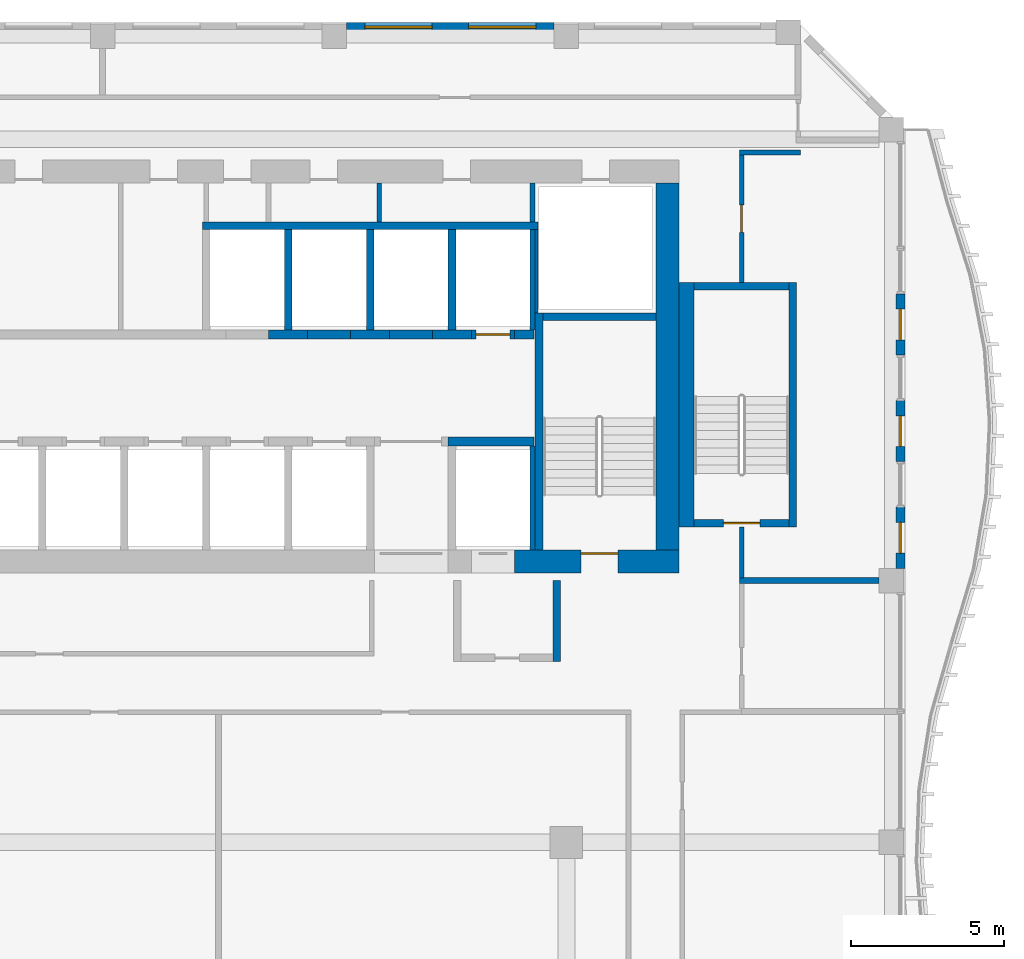
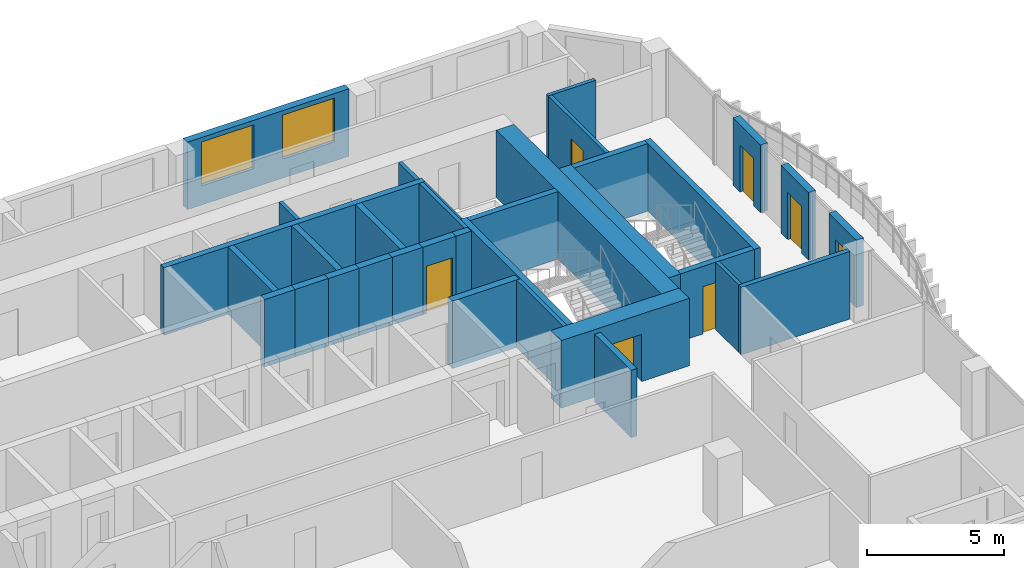
# One storey, part 17 of 24: 34 walls, 7 doors, 2 windows, 9 openings.
"""IFC4 building model written with IfcOpenShell, lengths in metres."""

from ifc_helpers import new_model, si_unit, direction, frame, frame_2d, origin, place, context, subcontext, project, spatial, rectangle, extrude, source, transform, mapped, material, layer, layer_set, type_object, element, fill, save


model = new_model("IFC4")

# Units and contexts
model_context = context("Model", 3, precision=1e-05, world=origin(), true_north=direction((0.0, 1.0)))
body_context = subcontext(model_context, "Body", "Model", "MODEL_VIEW")
ifc_project = project(units=[si_unit("LENGTHUNIT", "METRE"), si_unit("AREAUNIT", "SQUARE_METRE"), si_unit("VOLUMEUNIT", "CUBIC_METRE"), si_unit("PLANEANGLEUNIT", "RADIAN"), si_unit("MASSUNIT", "GRAM", prefix="KILO")], contexts=[model_context])

# Site, building, storey
site_placement = place(None, origin())
site = spatial("IfcSite", under=ifc_project, at=site_placement, CompositionType="ELEMENT")
building_placement = place(site_placement, origin())
building = spatial("IfcBuilding", under=site, at=building_placement, Name="Kilnfold Tower and Market Hall", CompositionType="ELEMENT")
storey_placement = place(building_placement, frame((0.0, 0.0, 192.300048828125)))
storey = spatial("IfcBuildingStorey", under=building, at=storey_placement, Name="L46", CompositionType="ELEMENT", Elevation=192.300048828125)

# Wall
ifc_material_1 = material(Name="Gypsum board on steel studs", Category="steel")
ifc_layer_1 = layer(ifc_material_1, 0.14990234375)
ifc_layer_set_1 = layer_set([ifc_layer_1], Name="Gypsum board on steel studs")
wall_type_1 = type_object("IfcWallType", Name="WALL CORRIDOR 150", PredefinedType="PARTITIONING", material=ifc_layer_set_1)
wall_1_placement = place(storey_placement, frame((19.824951171875, 22.0, 0.0), z_axis=(0.0, 0.0, 1.0), x_axis=(1.0, 0.0, 0.0)))
element("IfcWall", 1, at=wall_1_placement, inside=storey, type_object=wall_type_1, Name="Partition LY28.30", PredefinedType="PARTITIONING", context=body_context, shape_type="SweptSolid", body=[
    extrude(rectangle(XDim=2.0, YDim=0.14990234375, at=frame_2d((1.0, 0.0))), origin(), (0.0, 0.0, 1.0), 3.0),
])

# Wall, opening, door
wall_2_placement = place(storey_placement, frame((19.89990234375, 17.75, 0.0), z_axis=(0.0, 0.0, 1.0), x_axis=(0.0, 1.0, 0.0)))
wall_2 = element("IfcWall", 2, at=wall_2_placement, inside=storey, type_object=wall_type_1, Name="Partition LY28.31", PredefinedType="PARTITIONING", context=body_context, shape_type="SweptSolid", body=[
    extrude(rectangle(XDim=4.175048828125, YDim=0.14990234375, at=frame_2d((2.08740234375, 0.0))), origin(), (0.0, 0.0, 1.0), 3.0),
])
opening_1_placement = place(wall_2_placement, frame((1.637939453125, 0.0, 0.0)))
opening_1 = element("IfcOpeningElement", 3, at=opening_1_placement, cuts=wall_2, Name="Opening D2", PredefinedType="OPENING", context=body_context, shape_type="SweptSolid", body=[
    extrude(rectangle(XDim=0.89990234375, YDim=2.10009765625, at=frame_2d((0.449951171875, 1.050048828125))), frame((0.0, 0.0849609375, 0.0), z_axis=(0.0, -1.0, 0.0), x_axis=(1.0, 0.0, 0.0)), (0.0, 0.0, 1.0), 0.169921875),
])
ifc_material_2 = material(Name="Timber veneer door leaf in steel frame", Category="steel")
door_type_1 = type_object("IfcDoorType", Name="DOOR ROOM 900 X2100", OperationType="NOTDEFINED", PredefinedType="DOOR", material=ifc_material_2)
door_1_placement = place(opening_1_placement, origin())
door_1 = element("IfcDoor", 4, at=door_1_placement, inside=storey, type_object=door_type_1, Name="Door D2", OperationType="SINGLE_SWING_LEFT", OverallHeight=2.10009765625, OverallWidth=0.89990234375, PredefinedType="DOOR", context=body_context, shape_type="SweptSolid", body=[
    extrude(rectangle(XDim=0.89990234375, YDim=2.10009765625, at=frame_2d((0.449951171875, 1.050048828125))), frame((0.0, 0.02490234375, 0.0), z_axis=(0.0, -1.0, 0.0), x_axis=(1.0, 0.0, 0.0)), (0.0, 0.0, 1.0), 0.050048828125),
])
fill(opening_1, door_1)

# Walls
wall_3_placement = place(storey_placement, frame((19.89990234375, 8.090087890625, 0.0), z_axis=(0.0, 0.0, 1.0), x_axis=(0.0, 1.0, 0.0)))
element("IfcWall", 5, at=wall_3_placement, inside=storey, type_object=wall_type_1, Name="Partition LY28.32", PredefinedType="PARTITIONING", context=body_context, shape_type="SweptSolid", body=[
    extrude(rectangle(XDim=1.659912109375, YDim=0.14990234375, at=frame_2d((0.830078125, 0.0))), origin(), (0.0, 0.0, 1.0), 3.0),
])
ifc_material_3 = material(Name="Gypsum board on steel studs", Category="steel")
ifc_layer_2 = layer(ifc_material_3, 0.199951171875)
ifc_layer_set_2 = layer_set([ifc_layer_2], Name="Gypsum board on steel studs")
wall_type_2 = type_object("IfcWallType", Name="WALL PARTY 200", PredefinedType="PARTITIONING", material=ifc_layer_set_2)
wall_4_placement = place(storey_placement, frame((19.826904296875, 8.0, 0.0), z_axis=(0.0, 0.0, 1.0), x_axis=(1.0, 0.0, 0.0)))
element("IfcWall", 6, at=wall_4_placement, inside=storey, type_object=wall_type_2, Name="Partition LY28.115", PredefinedType="PARTITIONING", context=body_context, shape_type="SweptSolid", body=[
    extrude(rectangle(XDim=4.572998046875, YDim=0.199951171875, at=frame_2d((2.28662109375, 0.0))), origin(), (0.0, 0.0, 1.0), 3.0),
])
ifc_material_4 = material(Name="Concrete C60", Category="concrete")
ifc_layer_3 = layer(ifc_material_4, 0.25)
ifc_layer_set_3 = layer_set([ifc_layer_3], Name="Concrete C60")
wall_type_3 = type_object("IfcWallType", Name="CORE WALL 250 C60", PredefinedType="SHEAR", material=ifc_layer_set_3)
shared_shape_1 = source(origin(), body_context, "Body", "SweptSolid", [
    extrude(rectangle(XDim=7.75, YDim=0.25, at=frame_2d((3.875, 0.0))), origin(), (0.0, 0.0, 1.0), 3.0),
])
wall_5_placement = place(storey_placement, frame((13.27490234375, 9.0, 0.0), z_axis=(0.0, 0.0, 1.0), x_axis=(0.0, 1.0, 0.0)))
element("IfcWall", 7, at=wall_5_placement, inside=storey, type_object=wall_type_3, Name="Stair enclosure ST2", PredefinedType="SHEAR", context=body_context, shape_type="MappedRepresentation", body=[
    mapped(shared_shape_1, transform((0.0, 0.0, 0.0))),
])
shared_shape_2 = source(origin(), body_context, "Body", "SweptSolid", [
    extrude(rectangle(XDim=3.7001953125, YDim=0.25, at=frame_2d((1.85009765625, 0.0))), origin(), (0.0, 0.0, 1.0), 3.0),
])
wall_6_placement = place(storey_placement, frame((13.39990234375, 16.625, 0.0), z_axis=(0.0, 0.0, 1.0), x_axis=(1.0, 0.0, 0.0)))
element("IfcWall", 8, at=wall_6_placement, inside=storey, type_object=wall_type_3, Name="Stair enclosure ST2", PredefinedType="SHEAR", context=body_context, shape_type="MappedRepresentation", body=[
    mapped(shared_shape_2, transform((0.0, 0.0, 0.0))),
])
shared_shape_3 = source(origin(), body_context, "Body", "SweptSolid", [
    extrude(rectangle(XDim=8.0, YDim=0.25, at=frame_2d((4.0, 0.0))), origin(), (0.0, 0.0, 1.0), 3.0),
])
wall_7_placement = place(storey_placement, frame((21.574951171875, 9.75, 0.0), z_axis=(0.0, 0.0, 1.0), x_axis=(0.0, 1.0, 0.0)))
element("IfcWall", 9, at=wall_7_placement, inside=storey, type_object=wall_type_3, Name="Stair enclosure ST5", PredefinedType="SHEAR", context=body_context, shape_type="MappedRepresentation", body=[
    mapped(shared_shape_3, transform((0.0, 0.0, 0.0))),
])

# Wall, opening, door
shared_shape_4 = source(origin(), body_context, "Body", "SweptSolid", [
    extrude(rectangle(XDim=3.099853515625, YDim=0.25, at=frame_2d((1.5498046875, 0.0))), origin(), (0.0, 0.0, 1.0), 3.0),
])
wall_8_placement = place(storey_placement, frame((18.35009765625, 9.875, 0.0), z_axis=(0.0, 0.0, 1.0), x_axis=(1.0, 0.0, 0.0)))
wall_8 = element("IfcWall", 10, at=wall_8_placement, inside=storey, type_object=wall_type_3, Name="Stair enclosure ST5", PredefinedType="SHEAR", context=body_context, shape_type="MappedRepresentation", body=[
    mapped(shared_shape_4, transform((0.0, 0.0, 0.0))),
])
opening_2_placement = place(wall_8_placement, frame((0.949951171875, 0.0, 0.0)))
opening_2 = element("IfcOpeningElement", 11, at=opening_2_placement, cuts=wall_8, Name="Opening SD1", PredefinedType="OPENING", context=body_context, shape_type="SweptSolid", body=[
    extrude(rectangle(XDim=1.199951171875, YDim=2.10009765625, at=frame_2d((0.60009765625, 1.050048828125))), frame((0.0, 0.135009765625, 0.0), z_axis=(0.0, -1.0, 0.0), x_axis=(1.0, 0.0, 0.0)), (0.0, 0.0, 1.0), 0.27001953125),
])
ifc_material_5 = material(Name="Steel door set with fire-resisting leaf", Category="steel")
door_type_2 = type_object("IfcDoorType", Name="STAIR FLOOR DOOR 1200X2100", OperationType="NOTDEFINED", PredefinedType="DOOR", material=ifc_material_5)
door_2_placement = place(opening_2_placement, origin())
door_2 = element("IfcDoor", 12, at=door_2_placement, inside=storey, type_object=door_type_2, Name="Exit stair ST5 door", OperationType="DOUBLE_DOOR_SINGLE_SWING", OverallHeight=2.10009765625, OverallWidth=1.199951171875, PredefinedType="DOOR", context=body_context, shape_type="SweptSolid", body=[
    extrude(rectangle(XDim=1.199951171875, YDim=2.10009765625, at=frame_2d((0.60009765625, 1.050048828125))), frame((0.0, 0.02490234375, 0.0), z_axis=(0.0, -1.0, 0.0), x_axis=(1.0, 0.0, 0.0)), (0.0, 0.0, 1.0), 0.050048828125),
])
fill(opening_2, door_2)

# Walls
wall_9_placement = place(storey_placement, frame((18.35009765625, 17.625, 0.0), z_axis=(0.0, 0.0, 1.0), x_axis=(1.0, 0.0, 0.0)))
element("IfcWall", 13, at=wall_9_placement, inside=storey, type_object=wall_type_3, Name="Stair enclosure ST5", PredefinedType="SHEAR", context=body_context, shape_type="MappedRepresentation", body=[
    mapped(shared_shape_4, transform((0.0, 0.0, 0.0))),
])
ifc_material_6 = material(Name="Concrete C60", Category="concrete")
ifc_layer_4 = layer(ifc_material_6, 0.300048828125)
ifc_layer_set_4 = layer_set([ifc_layer_4], Name="Concrete C60")
wall_type_4 = type_object("IfcWallType", Name="CORE WALL 300 C60", PredefinedType="SHEAR", material=ifc_layer_set_4)
shared_shape_5 = source(origin(), body_context, "Body", "SweptSolid", [
    extrude(rectangle(XDim=1.280029296875, YDim=0.300048828125, at=frame_2d((0.64013671875, 0.0))), origin(), (0.0, 0.0, 1.0), 3.0),
])
for number, where, z_axis, x_axis, name in (
    (14, (4.429931640625, 16.050048828125, 0.0), (0.0, 0.0, 1.0), (1.0, 0.0, 0.0), "Core spine wall"),
    (15, (9.7900390625, 16.050048828125, 0.0), (0.0, 0.0, 1.0), (1.0, 0.0, 0.0), "Core spine wall"),
):
    element("IfcWall", number, at=place(storey_placement, frame(where, z_axis=z_axis, x_axis=x_axis)), inside=storey, type_object=wall_type_4, Name=name, PredefinedType="SHEAR", context=body_context, shape_type="MappedRepresentation", body=[
        mapped(shared_shape_5, transform((0.0, 0.0, 0.0))),
    ])
shared_shape_6 = source(origin(), body_context, "Body", "SweptSolid", [
    extrude(rectangle(XDim=2.820068359375, YDim=0.300048828125, at=frame_2d((1.41015625, 0.0))), origin(), (0.0, 0.0, 1.0), 3.0),
])
wall_10_placement = place(storey_placement, frame((10.2900390625, 12.550048828125, 0.0), z_axis=(0.0, 0.0, 1.0), x_axis=(1.0, 0.0, 0.0)))
element("IfcWall", 16, at=wall_10_placement, inside=storey, type_object=wall_type_4, Name="Core spine wall", PredefinedType="SHEAR", context=body_context, shape_type="MappedRepresentation", body=[
    mapped(shared_shape_6, transform((0.0, 0.0, 0.0))),
])
shared_shape_7 = source(origin(), body_context, "Body", "SweptSolid", [
    extrude(rectangle(XDim=1.27978515625, YDim=0.300048828125, at=frame_2d((0.639892578125, 0.0))), origin(), (0.0, 0.0, 1.0), 3.0),
])
wall_11_placement = place(storey_placement, frame((7.110107421875, 16.050048828125, 0.0), z_axis=(0.0, 0.0, 1.0), x_axis=(1.0, 0.0, 0.0)))
element("IfcWall", 17, at=wall_11_placement, inside=storey, type_object=wall_type_4, Name="Core spine wall", PredefinedType="SHEAR", context=body_context, shape_type="MappedRepresentation", body=[
    mapped(shared_shape_7, transform((0.0, 0.0, 0.0))),
])
shared_shape_8 = source(origin(), body_context, "Body", "SweptSolid", [
    extrude(rectangle(XDim=0.64013671875, YDim=0.300048828125, at=frame_2d((0.320068359375, 0.0))), origin(), (0.0, 0.0, 1.0), 3.0),
])
wall_12_placement = place(storey_placement, frame((12.469970703125, 16.050048828125, 0.0), z_axis=(0.0, 0.0, 1.0), x_axis=(1.0, 0.0, 0.0)))
element("IfcWall", 18, at=wall_12_placement, inside=storey, type_object=wall_type_4, Name="Core spine wall", PredefinedType="SHEAR", context=body_context, shape_type="MappedRepresentation", body=[
    mapped(shared_shape_8, transform((0.0, 0.0, 0.0))),
])

# Wall, opening, door
ifc_material_7 = material(Name="Concrete C60", Category="concrete")
ifc_layer_5 = layer(ifc_material_7, 0.75)
ifc_layer_set_5 = layer_set([ifc_layer_5], Name="Concrete C60")
wall_type_5 = type_object("IfcWallType", Name="CORE WALL 750 C60", PredefinedType="SHEAR", material=ifc_layer_set_5)
shared_shape_9 = source(origin(), body_context, "Body", "SweptSolid", [
    extrude(rectangle(XDim=5.380126953125, YDim=0.75, at=frame_2d((2.68994140625, 0.0))), origin(), (0.0, 0.0, 1.0), 3.0),
])
wall_13_placement = place(storey_placement, frame((12.469970703125, 8.625, 0.0), z_axis=(0.0, 0.0, 1.0), x_axis=(1.0, 0.0, 0.0)))
wall_13 = element("IfcWall", 19, at=wall_13_placement, inside=storey, type_object=wall_type_5, Name="Core outer wall south", PredefinedType="SHEAR", context=body_context, shape_type="MappedRepresentation", body=[
    mapped(shared_shape_9, transform((0.0, 0.0, 0.0))),
])
opening_3_placement = place(wall_13_placement, frame((2.179931640625, 0.0, 0.0)))
opening_3 = element("IfcOpeningElement", 20, at=opening_3_placement, cuts=wall_13, Name="Opening SD1", PredefinedType="OPENING", context=body_context, shape_type="SweptSolid", body=[
    extrude(rectangle(XDim=1.199951171875, YDim=2.10009765625, at=frame_2d((0.60009765625, 1.050048828125))), frame((0.0, 0.385009765625, 0.0), z_axis=(0.0, -1.0, 0.0), x_axis=(1.0, 0.0, 0.0)), (0.0, 0.0, 1.0), 0.77001953125),
])
door_3_placement = place(opening_3_placement, origin())
door_3 = element("IfcDoor", 21, at=door_3_placement, inside=storey, type_object=door_type_2, Name="Exit stair ST2 door", OperationType="DOUBLE_DOOR_SINGLE_SWING", OverallHeight=2.10009765625, OverallWidth=1.199951171875, PredefinedType="DOOR", context=body_context, shape_type="SweptSolid", body=[
    extrude(rectangle(XDim=1.199951171875, YDim=2.10009765625, at=frame_2d((0.60009765625, 1.050048828125))), frame((0.0, 0.27978515625, 0.0), z_axis=(0.0, -1.0, 0.0), x_axis=(1.0, 0.0, 0.0)), (0.0, 0.0, 1.0), 0.050048828125),
])
fill(opening_3, door_3)

# Walls
shared_shape_10 = source(origin(), body_context, "Body", "SweptSolid", [
    extrude(rectangle(XDim=12.0, YDim=0.75, at=frame_2d((6.0, 0.0))), origin(), (0.0, 0.0, 1.0), 3.0),
])
wall_14_placement = place(storey_placement, frame((17.47509765625, 9.0, 0.0), z_axis=(0.0, 0.0, 1.0), x_axis=(0.0, 1.0, 0.0)))
element("IfcWall", 22, at=wall_14_placement, inside=storey, type_object=wall_type_5, Name="Core outer wall east", PredefinedType="SHEAR", context=body_context, shape_type="MappedRepresentation", body=[
    mapped(shared_shape_10, transform((0.0, 0.0, 0.0))),
])
ifc_material_8 = material(Name="Concrete C60", Category="concrete")
ifc_layer_6 = layer(ifc_material_8, 0.5)
ifc_layer_set_6 = layer_set([ifc_layer_6], Name="Concrete C60")
wall_type_6 = type_object("IfcWallType", Name="CORE WALL 500 C60", PredefinedType="SHEAR", material=ifc_layer_set_6)
shared_shape_11 = source(origin(), body_context, "Body", "SweptSolid", [
    extrude(rectangle(XDim=8.0, YDim=0.5, at=frame_2d((4.0, 0.0))), origin(), (0.0, 0.0, 1.0), 3.0),
])
wall_15_placement = place(storey_placement, frame((18.10009765625, 9.75, 0.0), z_axis=(0.0, 0.0, 1.0), x_axis=(0.0, 1.0, 0.0)))
element("IfcWall", 23, at=wall_15_placement, inside=storey, type_object=wall_type_6, Name="Stair enclosure ST5", PredefinedType="SHEAR", context=body_context, shape_type="MappedRepresentation", body=[
    mapped(shared_shape_11, transform((0.0, 0.0, 0.0))),
])

# Wall, opening, door
ifc_material_9 = material(Name="Precast concrete C50/60", Category="concrete")
ifc_layer_7 = layer(ifc_material_9, 0.300048828125)
ifc_layer_set_7 = layer_set([ifc_layer_7], Name="Precast concrete C50/60")
wall_type_7 = type_object("IfcWallType", Name="PRECAST WALL 300", PredefinedType="SOLIDWALL", material=ifc_layer_set_7)
shared_shape_12 = source(origin(), body_context, "Body", "SweptSolid", [
    extrude(rectangle(XDim=2.0, YDim=0.300048828125, at=frame_2d((1.0, 0.0))), origin(), (0.0, 0.0, 1.0), 3.0),
])
wall_16_placement = place(storey_placement, frame((25.10009765625, 8.39990234375, 0.0), z_axis=(0.0, 0.0, 1.0), x_axis=(0.0, 1.0, 0.0)))
wall_16 = element("IfcWall", 24, at=wall_16_placement, inside=storey, type_object=wall_type_7, Name="External wall L46 E", PredefinedType="SOLIDWALL", context=body_context, shape_type="MappedRepresentation", body=[
    mapped(shared_shape_12, transform((0.0, 0.0, 0.0))),
])
opening_4_placement = place(wall_16_placement, frame((0.5, 0.0, 0.0)))
opening_4 = element("IfcOpeningElement", 25, at=opening_4_placement, cuts=wall_16, Name="Opening BD1", PredefinedType="OPENING", context=body_context, shape_type="SweptSolid", body=[
    extrude(rectangle(XDim=1.0, YDim=2.10009765625, at=frame_2d((0.5, 1.050048828125))), frame((0.0, 0.16015625, 0.0), z_axis=(0.0, -1.0, 0.0), x_axis=(1.0, 0.0, 0.0)), (0.0, 0.0, 1.0), 0.320068359375),
])
ifc_material_10 = material(Name="Aluminium frame and double glazing", Category="aluminium")
door_type_3 = type_object("IfcDoorType", Name="BALCONY DOOR 1000X2100", OperationType="NOTDEFINED", PredefinedType="DOOR", material=ifc_material_10)
door_4_placement = place(opening_4_placement, origin())
door_4 = element("IfcDoor", 26, at=door_4_placement, inside=storey, type_object=door_type_3, Name="Balcony door BD1 L46 E-1", OperationType="SINGLE_SWING_LEFT", OverallHeight=2.10009765625, OverallWidth=1.0, PredefinedType="DOOR", context=body_context, shape_type="SweptSolid", body=[
    extrude(rectangle(XDim=1.0, YDim=2.10009765625, at=frame_2d((0.5, 1.050048828125))), frame((0.0, 0.02490234375, 0.0), z_axis=(0.0, -1.0, 0.0), x_axis=(1.0, 0.0, 0.0)), (0.0, 0.0, 1.0), 0.050048828125),
])
fill(opening_4, door_4)

wall_17_placement = place(storey_placement, frame((25.10009765625, 11.887451171875, 0.0), z_axis=(0.0, 0.0, 1.0), x_axis=(0.0, 1.0, 0.0)))
wall_17 = element("IfcWall", 27, at=wall_17_placement, inside=storey, type_object=wall_type_7, Name="External wall L46 E", PredefinedType="SOLIDWALL", context=body_context, shape_type="MappedRepresentation", body=[
    mapped(shared_shape_12, transform((0.0, 0.0, 0.0))),
])
opening_5_placement = place(wall_17_placement, frame((0.5, 0.0, 0.0)))
opening_5 = element("IfcOpeningElement", 28, at=opening_5_placement, cuts=wall_17, Name="Opening BD1", PredefinedType="OPENING", context=body_context, shape_type="SweptSolid", body=[
    extrude(rectangle(XDim=1.0, YDim=2.10009765625, at=frame_2d((0.5, 1.050048828125))), frame((0.0, 0.16015625, 0.0), z_axis=(0.0, -1.0, 0.0), x_axis=(1.0, 0.0, 0.0)), (0.0, 0.0, 1.0), 0.320068359375),
])
door_5_placement = place(opening_5_placement, origin())
door_5 = element("IfcDoor", 29, at=door_5_placement, inside=storey, type_object=door_type_3, Name="Balcony door BD1 L46 E-2", OperationType="SINGLE_SWING_RIGHT", OverallHeight=2.10009765625, OverallWidth=1.0, PredefinedType="DOOR", context=body_context, shape_type="SweptSolid", body=[
    extrude(rectangle(XDim=1.0, YDim=2.10009765625, at=frame_2d((0.5, 1.050048828125))), frame((0.0, 0.02490234375, 0.0), z_axis=(0.0, -1.0, 0.0), x_axis=(1.0, 0.0, 0.0)), (0.0, 0.0, 1.0), 0.050048828125),
])
fill(opening_5, door_5)

wall_18_placement = place(storey_placement, frame((25.10009765625, 15.375, 0.0), z_axis=(0.0, 0.0, 1.0), x_axis=(0.0, 1.0, 0.0)))
wall_18 = element("IfcWall", 30, at=wall_18_placement, inside=storey, type_object=wall_type_7, Name="External wall L46 E", PredefinedType="SOLIDWALL", context=body_context, shape_type="MappedRepresentation", body=[
    mapped(shared_shape_12, transform((0.0, 0.0, 0.0))),
])
opening_6_placement = place(wall_18_placement, frame((0.5, 0.0, 0.0)))
opening_6 = element("IfcOpeningElement", 31, at=opening_6_placement, cuts=wall_18, Name="Opening BD1", PredefinedType="OPENING", context=body_context, shape_type="SweptSolid", body=[
    extrude(rectangle(XDim=1.0, YDim=2.10009765625, at=frame_2d((0.5, 1.050048828125))), frame((0.0, 0.16015625, 0.0), z_axis=(0.0, -1.0, 0.0), x_axis=(1.0, 0.0, 0.0)), (0.0, 0.0, 1.0), 0.320068359375),
])
door_6_placement = place(opening_6_placement, origin())
door_6 = element("IfcDoor", 32, at=door_6_placement, inside=storey, type_object=door_type_3, Name="Balcony door BD1 L46 E-3", OperationType="SINGLE_SWING_LEFT", OverallHeight=2.10009765625, OverallWidth=1.0, PredefinedType="DOOR", context=body_context, shape_type="SweptSolid", body=[
    extrude(rectangle(XDim=1.0, YDim=2.10009765625, at=frame_2d((0.5, 1.050048828125))), frame((0.0, 0.02490234375, 0.0), z_axis=(0.0, -1.0, 0.0), x_axis=(1.0, 0.0, 0.0)), (0.0, 0.0, 1.0), 0.050048828125),
])
fill(opening_6, door_6)

# Wall, openings, windows
shared_shape_13 = source(origin(), body_context, "Body", "SweptSolid", [
    extrude(rectangle(XDim=6.783203125, YDim=0.300048828125, at=frame_2d((3.3916015625, 0.0))), origin(), (0.0, 0.0, 1.0), 3.0),
])
wall_19_placement = place(storey_placement, frame((13.7666015625, 26.10009765625, 0.0), z_axis=(0.0, 0.0, 1.0), x_axis=(-1.0, 0.0, 0.0)))
wall_19 = element("IfcWall", 33, at=wall_19_placement, inside=storey, type_object=wall_type_7, Name="External wall L46 N", PredefinedType="SOLIDWALL", context=body_context, shape_type="MappedRepresentation", body=[
    mapped(shared_shape_13, transform((0.0, 0.0, 0.0))),
])
opening_7_placement = place(wall_19_placement, frame((0.595703125, 0.0, 0.85009765625)))
opening_7 = element("IfcOpeningElement", 34, at=opening_7_placement, cuts=wall_19, Name="Opening W2", PredefinedType="OPENING", context=body_context, shape_type="SweptSolid", body=[
    extrude(rectangle(XDim=2.199951171875, YDim=1.949951171875, at=frame_2d((1.10009765625, 0.97509765625))), frame((0.0, 0.16015625, 0.0), z_axis=(0.0, -1.0, 0.0), x_axis=(1.0, 0.0, 0.0)), (0.0, 0.0, 1.0), 0.320068359375),
])
opening_8_placement = place(wall_19_placement, frame((3.987548828125, 0.0, 0.85009765625)))
opening_8 = element("IfcOpeningElement", 35, at=opening_8_placement, cuts=wall_19, Name="Opening W2", PredefinedType="OPENING", context=body_context, shape_type="SweptSolid", body=[
    extrude(rectangle(XDim=2.199951171875, YDim=1.949951171875, at=frame_2d((1.10009765625, 0.97509765625))), frame((0.0, 0.16015625, 0.0), z_axis=(0.0, -1.0, 0.0), x_axis=(1.0, 0.0, 0.0)), (0.0, 0.0, 1.0), 0.320068359375),
])
ifc_material_11 = material(Name="Aluminium frame and double glazing", Category="aluminium")
window_type = type_object("IfcWindowType", Name="WINDOW W2 2200X1950", PartitioningType="SINGLE_PANEL", PredefinedType="WINDOW", material=ifc_material_11)
window_1_placement = place(opening_7_placement, origin())
window_1 = element("IfcWindow", 36, at=window_1_placement, inside=storey, type_object=window_type, Name="Window W2 L46 N-1", OverallHeight=1.949951171875, OverallWidth=2.199951171875, PartitioningType="SINGLE_PANEL", PredefinedType="WINDOW", context=body_context, shape_type="SweptSolid", body=[
    extrude(rectangle(XDim=2.199951171875, YDim=1.949951171875, at=frame_2d((1.10009765625, 0.97509765625))), frame((0.0, 0.030029296875, 0.0), z_axis=(0.0, -1.0, 0.0), x_axis=(1.0, 0.0, 0.0)), (0.0, 0.0, 1.0), 0.06005859375),
])
fill(opening_7, window_1)
window_2_placement = place(opening_8_placement, origin())
window_2 = element("IfcWindow", 37, at=window_2_placement, inside=storey, type_object=window_type, Name="Window W2 L46 N-2", OverallHeight=1.949951171875, OverallWidth=2.199951171875, PartitioningType="SINGLE_PANEL", PredefinedType="WINDOW", context=body_context, shape_type="SweptSolid", body=[
    extrude(rectangle(XDim=2.199951171875, YDim=1.949951171875, at=frame_2d((1.10009765625, 0.97509765625))), frame((0.0, 0.030029296875, 0.0), z_axis=(0.0, -1.0, 0.0), x_axis=(1.0, 0.0, 0.0)), (0.0, 0.0, 1.0), 0.06005859375),
])
fill(opening_8, window_2)

# Wall, opening, door
ifc_material_12 = material(Name="Gypsum shaft wall system")
ifc_layer_8 = layer(ifc_material_12, 0.300048828125)
ifc_layer_set_8 = layer_set([ifc_layer_8], Name="Gypsum shaft wall system")
wall_type_8 = type_object("IfcWallType", Name="SHAFT WALL 300", PredefinedType="PARTITIONING", material=ifc_layer_set_8)
shared_shape_14 = source(origin(), body_context, "Body", "SweptSolid", [
    extrude(rectangle(XDim=1.39990234375, YDim=0.300048828125, at=frame_2d((0.699951171875, 0.0))), origin(), (0.0, 0.0, 1.0), 3.0),
])
wall_20_placement = place(storey_placement, frame((11.070068359375, 16.050048828125, 0.0), z_axis=(0.0, 0.0, 1.0), x_axis=(1.0, 0.0, 0.0)))
wall_20 = element("IfcWall", 38, at=wall_20_placement, inside=storey, type_object=wall_type_8, Name="Lift shaft front wall", PredefinedType="PARTITIONING", context=body_context, shape_type="MappedRepresentation", body=[
    mapped(shared_shape_14, transform((0.0, 0.0, 0.0))),
])
opening_9_placement = place(wall_20_placement, frame((0.14990234375, 0.0, 0.0)))
opening_9 = element("IfcOpeningElement", 39, at=opening_9_placement, cuts=wall_20, Name="Opening LD2", PredefinedType="OPENING", context=body_context, shape_type="SweptSolid", body=[
    extrude(rectangle(XDim=1.10009765625, YDim=2.10009765625, at=frame_2d((0.550048828125, 1.050048828125))), frame((0.0, 0.16015625, 0.0), z_axis=(0.0, -1.0, 0.0), x_axis=(1.0, 0.0, 0.0)), (0.0, 0.0, 1.0), 0.320068359375),
])
ifc_material_13 = material(Name="Steel door set with fire-resisting leaf", Category="steel")
door_type_4 = type_object("IfcDoorType", Name="LANDING DOOR 1100X2100", OperationType="NOTDEFINED", PredefinedType="DOOR", material=ifc_material_13)
door_7_placement = place(opening_9_placement, origin())
door_7 = element("IfcDoor", 40, at=door_7_placement, inside=storey, type_object=door_type_4, Name="Landing door MR6", OperationType="DOUBLE_DOOR_SLIDING", OverallHeight=2.10009765625, OverallWidth=1.10009765625, PredefinedType="DOOR", context=body_context, shape_type="SweptSolid", body=[
    extrude(rectangle(XDim=1.10009765625, YDim=2.10009765625, at=frame_2d((0.550048828125, 1.050048828125))), frame((0.0, 0.02490234375, 0.0), z_axis=(0.0, -1.0, 0.0), x_axis=(1.0, 0.0, 0.0)), (0.0, 0.0, 1.0), 0.050048828125),
])
fill(opening_9, door_7)

# Walls
shared_shape_15 = source(origin(), body_context, "Body", "SweptSolid", [
    extrude(rectangle(XDim=1.400146484375, YDim=0.300048828125, at=frame_2d((0.7001953125, 0.0))), origin(), (0.0, 0.0, 1.0), 3.0),
])
for number, where, z_axis, x_axis, name in (
    (41, (5.7099609375, 16.050048828125, 0.0), (0.0, 0.0, 1.0), (1.0, 0.0, 0.0), "Lift shaft front wall"),
    (42, (8.389892578125, 16.050048828125, 0.0), (0.0, 0.0, 1.0), (1.0, 0.0, 0.0), "Lift shaft front wall"),
):
    element("IfcWall", number, at=place(storey_placement, frame(where, z_axis=z_axis, x_axis=x_axis)), inside=storey, type_object=wall_type_8, Name=name, PredefinedType="PARTITIONING", context=body_context, shape_type="MappedRepresentation", body=[
        mapped(shared_shape_15, transform((0.0, 0.0, 0.0))),
    ])
ifc_material_14 = material(Name="Gypsum shaft wall system")
ifc_layer_9 = layer(ifc_material_14, 0.25)
ifc_layer_set_9 = layer_set([ifc_layer_9], Name="Gypsum shaft wall system")
wall_type_9 = type_object("IfcWallType", Name="LOBBY WALL 250", PredefinedType="PARTITIONING", material=ifc_layer_set_9)
shared_shape_16 = source(origin(), body_context, "Body", "SweptSolid", [
    extrude(rectangle(XDim=2.64990234375, YDim=0.25, at=frame_2d((1.324951171875, 0.0))), origin(), (0.0, 0.0, 1.0), 3.0),
])
wall_21_placement = place(storey_placement, frame((13.85498046875, 5.35009765625, 0.0), z_axis=(0.0, 0.0, 1.0), x_axis=(0.0, 1.0, 0.0)))
element("IfcWall", 43, at=wall_21_placement, inside=storey, type_object=wall_type_9, Name="Firefighting lobby wall", PredefinedType="PARTITIONING", context=body_context, shape_type="MappedRepresentation", body=[
    mapped(shared_shape_16, transform((0.0, 0.0, 0.0))),
])
ifc_material_15 = material(Name="Gypsum shaft wall system")
ifc_layer_10 = layer(ifc_material_15, 0.25)
ifc_layer_set_10 = layer_set([ifc_layer_10], Name="Gypsum shaft wall system")
wall_type_10 = type_object("IfcWallType", Name="SHAFT WALL 250", PredefinedType="PARTITIONING", material=ifc_layer_set_10)
shared_shape_17 = source(origin(), body_context, "Body", "SweptSolid", [
    extrude(rectangle(XDim=10.97021484375, YDim=0.25, at=frame_2d((5.485107421875, 0.0))), origin(), (0.0, 0.0, 1.0), 3.0),
])
wall_22_placement = place(storey_placement, frame((2.264892578125, 19.60009765625, 0.0), z_axis=(0.0, 0.0, 1.0), x_axis=(1.0, 0.0, 0.0)))
element("IfcWall", 44, at=wall_22_placement, inside=storey, type_object=wall_type_10, Name="Lift shaft wall", PredefinedType="PARTITIONING", context=body_context, shape_type="MappedRepresentation", body=[
    mapped(shared_shape_17, transform((0.0, 0.0, 0.0))),
])
ifc_material_16 = material(Name="Gypsum shaft wall system")
ifc_layer_11 = layer(ifc_material_16, 0.1650390625)
ifc_layer_set_11 = layer_set([ifc_layer_11], Name="Gypsum shaft wall system")
wall_type_11 = type_object("IfcWallType", Name="SHAFT WALL 165", PredefinedType="PARTITIONING", material=ifc_layer_set_11)
shared_shape_18 = source(origin(), body_context, "Body", "SweptSolid", [
    extrude(rectangle(XDim=3.275146484375, YDim=0.1650390625, at=frame_2d((1.6376953125, 0.0))), origin(), (0.0, 0.0, 1.0), 3.0),
])
wall_23_placement = place(storey_placement, frame((13.0673828125, 16.199951171875, 0.0), z_axis=(0.0, 0.0, 1.0), x_axis=(0.0, 1.0, 0.0)))
element("IfcWall", 45, at=wall_23_placement, inside=storey, type_object=wall_type_11, Name="Lift shaft wall", PredefinedType="PARTITIONING", context=body_context, shape_type="MappedRepresentation", body=[
    mapped(shared_shape_18, transform((0.0, 0.0, 0.0))),
])
shared_shape_19 = source(origin(), body_context, "Body", "SweptSolid", [
    extrude(rectangle(XDim=1.27490234375, YDim=0.1650390625, at=frame_2d((0.637451171875, 0.0))), origin(), (0.0, 0.0, 1.0), 3.0),
])
wall_24_placement = place(storey_placement, frame((13.0673828125, 19.72509765625, 0.0), z_axis=(0.0, 0.0, 1.0), x_axis=(0.0, 1.0, 0.0)))
element("IfcWall", 46, at=wall_24_placement, inside=storey, type_object=wall_type_11, Name="Lift shaft wall", PredefinedType="PARTITIONING", context=body_context, shape_type="MappedRepresentation", body=[
    mapped(shared_shape_19, transform((0.0, 0.0, 0.0))),
])
shared_shape_20 = source(origin(), body_context, "Body", "SweptSolid", [
    extrude(rectangle(XDim=3.275146484375, YDim=0.25, at=frame_2d((1.6376953125, 0.0))), origin(), (0.0, 0.0, 1.0), 3.0),
])
for number, where, z_axis, x_axis, name in (
    (47, (10.429931640625, 16.199951171875, 0.0), (0.0, 0.0, 1.0), (0.0, 1.0, 0.0), "Lift shaft wall"),
    (48, (5.070068359375, 16.199951171875, 0.0), (0.0, 0.0, 1.0), (0.0, 1.0, 0.0), "Lift shaft wall"),
    (49, (7.75, 16.199951171875, 0.0), (0.0, 0.0, 1.0), (0.0, 1.0, 0.0), "Lift shaft wall"),
):
    element("IfcWall", number, at=place(storey_placement, frame(where, z_axis=z_axis, x_axis=x_axis)), inside=storey, type_object=wall_type_10, Name=name, PredefinedType="PARTITIONING", context=body_context, shape_type="MappedRepresentation", body=[
        mapped(shared_shape_20, transform((0.0, 0.0, 0.0))),
    ])
ifc_material_17 = material(Name="Gypsum shaft wall system")
ifc_layer_12 = layer(ifc_material_17, 0.0849609375)
ifc_layer_set_12 = layer_set([ifc_layer_12], Name="Gypsum shaft wall system")
wall_type_12 = type_object("IfcWallType", Name="SHAFT WALL 85", PredefinedType="PARTITIONING", material=ifc_layer_set_12)
shared_shape_21 = source(origin(), body_context, "Body", "SweptSolid", [
    extrude(rectangle(XDim=2.72509765625, YDim=0.0849609375, at=frame_2d((1.362548828125, 0.0))), origin(), (0.0, 0.0, 1.0), 3.0),
])
wall_25_placement = place(storey_placement, frame((13.1923828125, 16.75, 0.0), z_axis=(0.0, 0.0, 1.0), x_axis=(0.0, 1.0, 0.0)))
element("IfcWall", 50, at=wall_25_placement, inside=storey, type_object=wall_type_12, Name="Lift shaft wall", PredefinedType="PARTITIONING", context=body_context, shape_type="MappedRepresentation", body=[
    mapped(shared_shape_21, transform((0.0, 0.0, 0.0))),
])
shared_shape_22 = source(origin(), body_context, "Body", "SweptSolid", [
    extrude(rectangle(XDim=3.39990234375, YDim=0.1650390625, at=frame_2d((1.699951171875, 0.0))), origin(), (0.0, 0.0, 1.0), 3.0),
])
wall_26_placement = place(storey_placement, frame((13.0673828125, 9.0, 0.0), z_axis=(0.0, 0.0, 1.0), x_axis=(0.0, 1.0, 0.0)))
element("IfcWall", 51, at=wall_26_placement, inside=storey, type_object=wall_type_11, Name="Lift shaft wall", PredefinedType="PARTITIONING", context=body_context, shape_type="MappedRepresentation", body=[
    mapped(shared_shape_22, transform((0.0, 0.0, 0.0))),
])
ifc_material_18 = material(Name="Gypsum shaft wall system")
ifc_layer_13 = layer(ifc_material_18, 0.14990234375)
ifc_layer_set_13 = layer_set([ifc_layer_13], Name="Gypsum shaft wall system")
wall_type_13 = type_object("IfcWallType", Name="ROOM WALL 150", PredefinedType="PARTITIONING", material=ifc_layer_set_13)
shared_shape_23 = source(origin(), body_context, "Body", "SweptSolid", [
    extrude(rectangle(XDim=1.27490234375, YDim=0.14990234375, at=frame_2d((0.637451171875, 0.0))), origin(), (0.0, 0.0, 1.0), 3.0),
])
wall_27_placement = place(storey_placement, frame((8.044921875, 19.72509765625, 0.0), z_axis=(0.0, 0.0, 1.0), x_axis=(0.0, 1.0, 0.0)))
element("IfcWall", 52, at=wall_27_placement, inside=storey, type_object=wall_type_13, Name="Core room wall", PredefinedType="PARTITIONING", context=body_context, shape_type="MappedRepresentation", body=[
    mapped(shared_shape_23, transform((0.0, 0.0, 0.0))),
])

save(model, "model.ifc")
